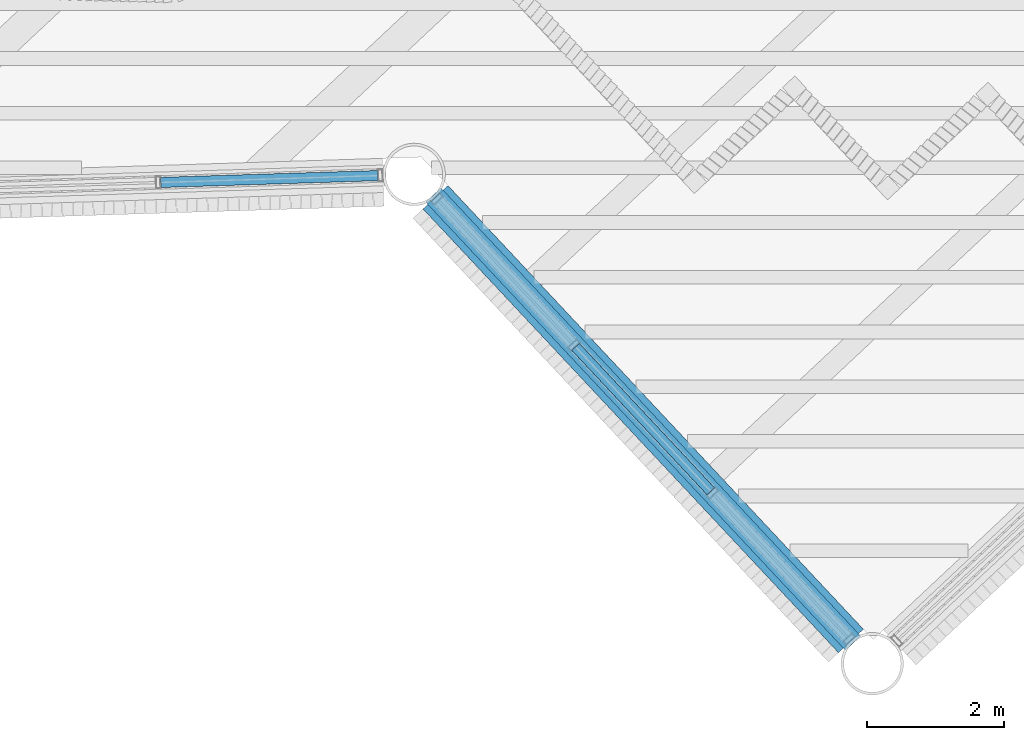
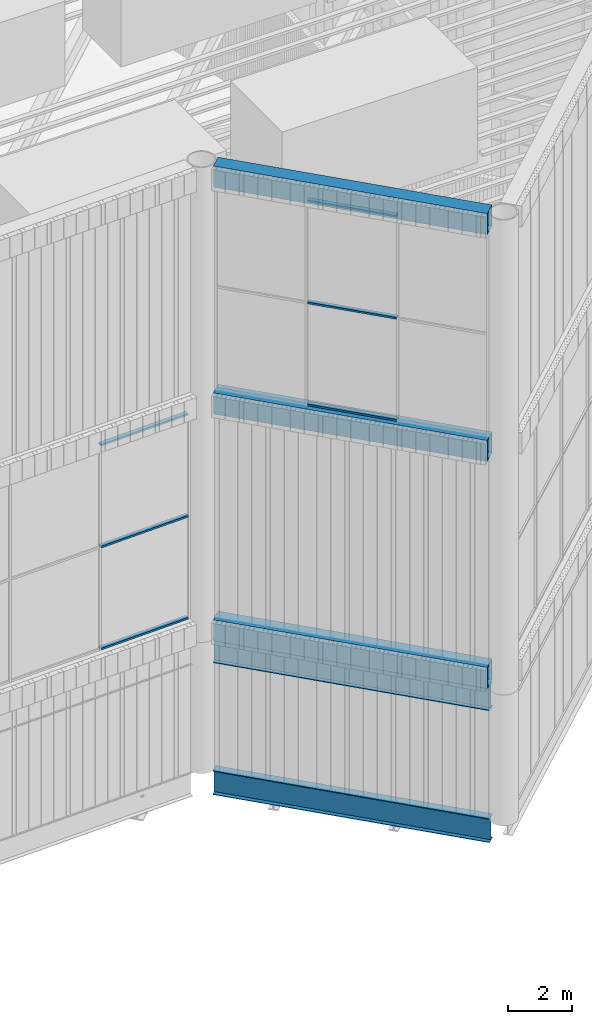
# One storey, part 29 of 117: 6 members, 5 beams, 2 elements without a shape of their own.
"""IFC4 building model written with IfcOpenShell, lengths in metres."""

from ifc_helpers import new_model, si_unit, direction, frame, origin, origin_2d, place, context, subcontext, project, spatial, hollow_rectangle, i_section, extrude, material, layer, layer_set, material_profile, profile_set, type_object, element, aggregate, save


model = new_model("IFC4")

# Units and contexts
model_context = context("Model", 3, precision=1e-05, world=origin(), true_north=direction((0.0, 1.0)))
body_context = subcontext(model_context, "Body", "Model", "MODEL_VIEW")
ifc_project = project(units=[si_unit("LENGTHUNIT", "METRE"), si_unit("AREAUNIT", "SQUARE_METRE"), si_unit("VOLUMEUNIT", "CUBIC_METRE"), si_unit("PLANEANGLEUNIT", "RADIAN"), si_unit("MASSUNIT", "GRAM", prefix="KILO")], contexts=[model_context])

# Site, building, storey
site_placement = place(None, origin())
site = spatial("IfcSite", under=ifc_project, at=site_placement, CompositionType="ELEMENT")
building_placement = place(site_placement, origin())
building = spatial("IfcBuilding", under=site, at=building_placement, Name="Tarsis Ring Headquarters", CompositionType="ELEMENT")
storey_placement = place(building_placement, frame((0.0, 0.0, 403.60009765625)))
storey = spatial("IfcBuildingStorey", under=building, at=storey_placement, Name="L95", CompositionType="ELEMENT", Elevation=403.60009765625)

# Beams
ifc_material_1 = material(Name="Structural steel S355", Category="steel")
ifc_material_profile_1 = material_profile(ifc_material_1, hollow_rectangle(XDim=0.5, YDim=0.800048828125, WallThickness=0.030029296875, at=origin_2d()), Name="RHS 800x500x30")
ifc_profile_set_1 = profile_set([ifc_material_profile_1], Name="Structural steel S355")
beam_type_1 = type_object("IfcBeamType", Name="Crown frame ring beam RHS 800x500x30", PredefinedType="BEAM", material=ifc_profile_set_1)
for number, where, z_axis, x_axis, name in (
    (1, (6.5947265625, -28.694580078125, 5.39990234375), (0.68352174227, -0.729930152717, 0.0), (0.729930152717, 0.68352174227, 0.0), "Crown frame ring beam R2"),
    (2, (6.5947265625, -28.694580078125, 14.0), (0.68352174227, -0.729930152717, 0.0), (0.729930152717, 0.68352174227, 0.0), "Crown frame ring beam M2"),
    (3, (6.5947265625, -28.694580078125, 22.599853515625), (0.68352174227, -0.729930152717, 0.0), (0.729930152717, 0.68352174227, 0.0), "Crown frame ring beam T2"),
):
    element("IfcBeam", number, at=place(storey_placement, frame(where, z_axis=z_axis, x_axis=x_axis)), inside=storey, type_object=beam_type_1, Name=name, PredefinedType="BEAM", context=body_context, shape_type="SweptSolid", body=[
        extrude(hollow_rectangle(XDim=0.5, YDim=0.800048828125, WallThickness=0.030029296875, at=origin_2d()), origin(), (0.0, 0.0, 1.0), 8.890625),
    ])

# Curtain wall, members
ifc_material_2 = material(Name="Aluminium curtain wall", Category="aluminium")
ifc_layer = layer(ifc_material_2, 0.179931640625)
ifc_layer_set = layer_set([ifc_layer], Name="Curtain wall crown glazing")
curtain_wall_type = type_object("IfcCurtainWallType", Name="Curtain wall crown glazing", PredefinedType="NOTDEFINED", material=ifc_layer_set)
curtain_wall_1_placement = place(storey_placement, origin())
curtain_wall_1 = element("IfcCurtainWall", 4, at=curtain_wall_1_placement, inside=storey, type_object=curtain_wall_type, Name="Crown glazing L1", PredefinedType="NOTDEFINED")
ifc_material_3 = material(Name="Aluminium transom", Category="aluminium")
ifc_material_profile_2 = material_profile(ifc_material_3, hollow_rectangle(XDim=0.14990234375, YDim=0.070068359375, WallThickness=0.0048828125, at=origin_2d()), Name="RHS 150x70x5")
ifc_profile_set_2 = profile_set([ifc_material_profile_2], Name="Aluminium transom")
member_type = type_object("IfcMemberType", Name="Crown glazing transom RHS 150x70x5", PredefinedType="USERDEFINED", material=ifc_profile_set_2)
member_1_placement = place(storey_placement, frame((2.576171875, -28.477783203125, 5.8349609375), z_axis=(0.99950478597, 0.031467170563, 0.0), x_axis=(-0.031467170563, 0.99950478597, 0.0)))
member_1 = element("IfcMember", 5, at=member_1_placement, type_object=member_type, Name="CW-C transom 3.1", ObjectType="TRANSOM", PredefinedType="USERDEFINED", context=body_context, shape_type="SweptSolid", body=[
    extrude(hollow_rectangle(XDim=0.14990234375, YDim=0.070068359375, WallThickness=0.0048828125, at=origin_2d()), origin(), (0.0, 0.0, 1.0), 3.180908203125),
])
member_2_placement = place(storey_placement, frame((2.576171875, -28.477783203125, 9.699951171875), z_axis=(0.99950478597, 0.031467170563, 0.0), x_axis=(-0.031467170563, 0.99950478597, 0.0)))
member_2 = element("IfcMember", 6, at=member_2_placement, type_object=member_type, Name="CW-C transom 3.2", ObjectType="TRANSOM", PredefinedType="USERDEFINED", context=body_context, shape_type="SweptSolid", body=[
    extrude(hollow_rectangle(XDim=0.14990234375, YDim=0.070068359375, WallThickness=0.0048828125, at=origin_2d()), origin(), (0.0, 0.0, 1.0), 3.180908203125),
])
member_3_placement = place(storey_placement, frame((2.576171875, -28.477783203125, 13.56494140625), z_axis=(0.99950478597, 0.031467170563, 0.0), x_axis=(-0.031467170563, 0.99950478597, 0.0)))
member_3 = element("IfcMember", 7, at=member_3_placement, type_object=member_type, Name="CW-C transom 3.3", ObjectType="TRANSOM", PredefinedType="USERDEFINED", context=body_context, shape_type="SweptSolid", body=[
    extrude(hollow_rectangle(XDim=0.14990234375, YDim=0.070068359375, WallThickness=0.0048828125, at=origin_2d()), origin(), (0.0, 0.0, 1.0), 3.180908203125),
])
aggregate(curtain_wall_1, [member_1, member_2, member_3])

curtain_wall_2_placement = place(storey_placement, origin())
curtain_wall_2 = element("IfcCurtainWall", 8, at=curtain_wall_2_placement, inside=storey, type_object=curtain_wall_type, Name="Crown glazing U2", PredefinedType="NOTDEFINED")
member_4_placement = place(storey_placement, frame((8.644287109375, -30.88330078125, 14.434814453125), z_axis=(0.683522824664, -0.729929139139, 0.0), x_axis=(0.729929139139, 0.683522824664, 0.0)))
member_4 = element("IfcMember", 9, at=member_4_placement, type_object=member_type, Name="CW-C transom 2.1", ObjectType="TRANSOM", PredefinedType="USERDEFINED", context=body_context, shape_type="SweptSolid", body=[
    extrude(hollow_rectangle(XDim=0.14990234375, YDim=0.070068359375, WallThickness=0.0048828125, at=origin_2d()), origin(), (0.0, 0.0, 1.0), 2.8935546875),
])
member_5_placement = place(storey_placement, frame((8.644287109375, -30.88330078125, 18.2998046875), z_axis=(0.683522824664, -0.729929139139, 0.0), x_axis=(0.729929139139, 0.683522824664, 0.0)))
member_5 = element("IfcMember", 10, at=member_5_placement, type_object=member_type, Name="CW-C transom 2.2", ObjectType="TRANSOM", PredefinedType="USERDEFINED", context=body_context, shape_type="SweptSolid", body=[
    extrude(hollow_rectangle(XDim=0.14990234375, YDim=0.070068359375, WallThickness=0.0048828125, at=origin_2d()), origin(), (0.0, 0.0, 1.0), 2.8935546875),
])
member_6_placement = place(storey_placement, frame((8.644287109375, -30.88330078125, 22.164794921875), z_axis=(0.683522824664, -0.729929139139, 0.0), x_axis=(0.729929139139, 0.683522824664, 0.0)))
member_6 = element("IfcMember", 11, at=member_6_placement, type_object=member_type, Name="CW-C transom 2.3", ObjectType="TRANSOM", PredefinedType="USERDEFINED", context=body_context, shape_type="SweptSolid", body=[
    extrude(hollow_rectangle(XDim=0.14990234375, YDim=0.070068359375, WallThickness=0.0048828125, at=origin_2d()), origin(), (0.0, 0.0, 1.0), 2.8935546875),
])
aggregate(curtain_wall_2, [member_4, member_5, member_6])

# Beams
ifc_material_profile_3 = material_profile(ifc_material_1, i_section(OverallWidth=0.3046875, OverallDepth=0.904296875, WebThickness=0.01513671875, FlangeThickness=0.02001953125, at=origin_2d()), Name="W36x135")
ifc_profile_set_3 = profile_set([ifc_material_profile_3], Name="Structural steel S355")
beam_type_2 = type_object("IfcBeamType", Name="XG Ring girder W36x135", PredefinedType="BEAM", material=ifc_profile_set_3)
for number, where, z_axis, x_axis, name in (
    (12, (6.5634765625, -28.661376953125, -0.4521484375), (0.683525993727, -0.72992617154, 0.0), (0.72992617154, 0.683525993727, 0.0), "Ring girder XG5"),
    (13, (6.5634765625, -28.661376953125, 4.5478515625), (0.683525993727, -0.72992617154, 0.0), (0.72992617154, 0.683525993727, 0.0), "Ring girder XG5"),
):
    element("IfcBeam", number, at=place(storey_placement, frame(where, z_axis=z_axis, x_axis=x_axis)), inside=storey, type_object=beam_type_2, Name=name, PredefinedType="BEAM", context=body_context, shape_type="SweptSolid", body=[
        extrude(i_section(OverallWidth=0.3046875, OverallDepth=0.904296875, WebThickness=0.01513671875, FlangeThickness=0.02001953125, at=origin_2d()), origin(), (0.0, 0.0, 1.0), 8.981689453125),
    ])

save(model, "model.ifc")
